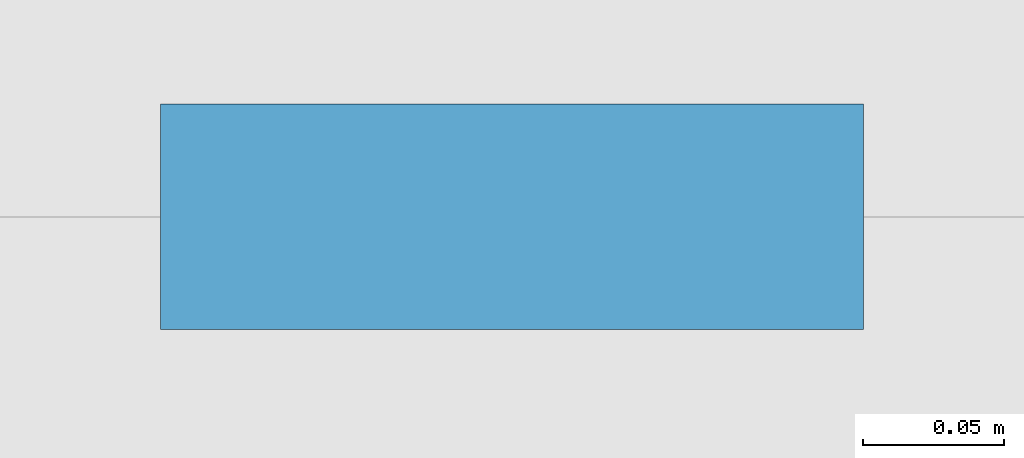
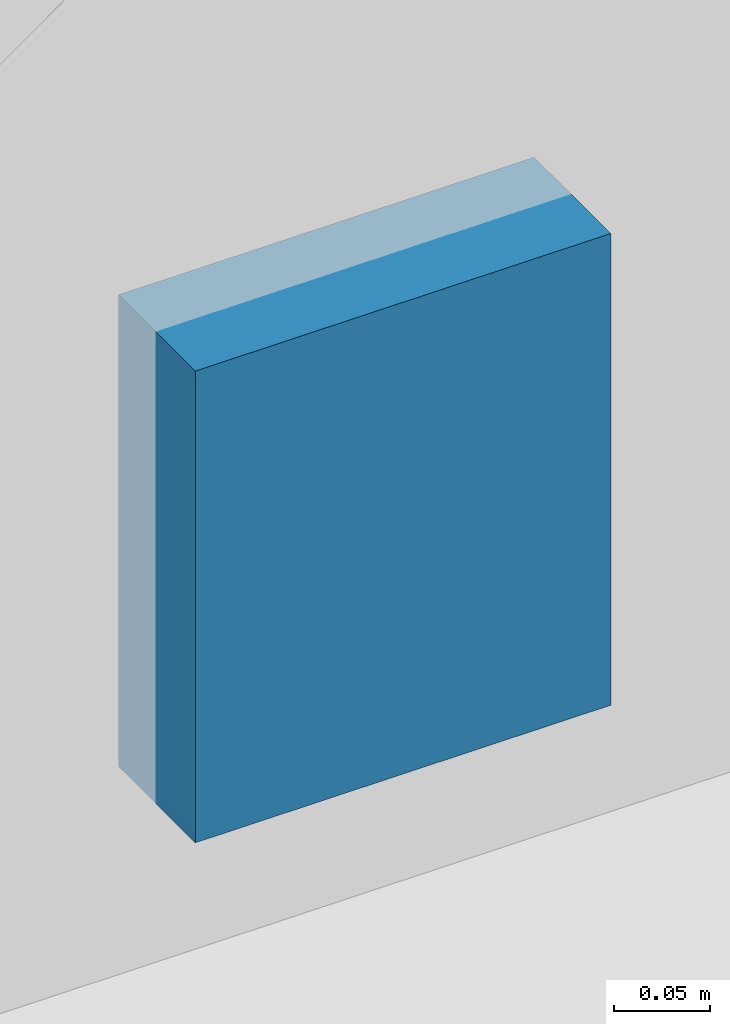
# One storey, part 99 of 199: 1 discrete accessory.
"""IFC4 building model written with IfcOpenShell, lengths in metres."""

from ifc_helpers import new_model, si_unit, direction, frame, origin, origin_2d, place, context, subcontext, project, spatial, rectangle, extrude, material, layer, layer_set, type_object, element, save


model = new_model("IFC4")

# Units and contexts
model_context = context("Model", 3, precision=1e-05, world=origin(), true_north=direction((0.0, 1.0)))
body_context = subcontext(model_context, "Body", "Model", "MODEL_VIEW")
ifc_project = project(units=[si_unit("LENGTHUNIT", "METRE"), si_unit("AREAUNIT", "SQUARE_METRE"), si_unit("VOLUMEUNIT", "CUBIC_METRE"), si_unit("PLANEANGLEUNIT", "RADIAN"), si_unit("MASSUNIT", "GRAM", prefix="KILO")], contexts=[model_context])

# Site, building, storey
site_placement = place(None, origin())
site = spatial("IfcSite", under=ifc_project, at=site_placement, CompositionType="ELEMENT")
building_placement = place(site_placement, origin())
building = spatial("IfcBuilding", under=site, at=building_placement, Name="Ogive Plaza Stadium", CompositionType="ELEMENT")
storey_placement = place(building_placement, frame((0.0, 0.0, 9.0)))
storey = spatial("IfcBuildingStorey", under=building, at=storey_placement, Name="L02", CompositionType="ELEMENT", Elevation=9.0)

# Discrete accessory
ifc_material = material(Name="Steel ASTM A572 Grade 50", Category="steel")
ifc_layer = layer(ifc_material, 0.080078125)
ifc_layer_set = layer_set([ifc_layer], Name="Steel ASTM A572 Grade 50")
discrete_accessory_type = type_object("IfcDiscreteAccessoryType", Name="Spandrel cladding bracket 250x300", PredefinedType="BRACKET", material=ifc_layer_set)
discrete_accessory_placement = place(storey_placement, frame((27.199951171875, 102.85009765625, -1.31005859375), z_axis=(0.0, 0.0, 1.0), x_axis=(1.0, 0.0, 0.0)))
element("IfcDiscreteAccessory", 1, at=discrete_accessory_placement, inside=storey, type_object=discrete_accessory_type, Name="SPANDREL BRACKET B36 L02", PredefinedType="BRACKET", context=body_context, shape_type="SweptSolid", body=[
    extrude(rectangle(XDim=0.25, YDim=0.080078125, at=origin_2d()), origin(), (0.0, 0.0, 1.0), 0.300048828125),
])

save(model, "model.ifc")
